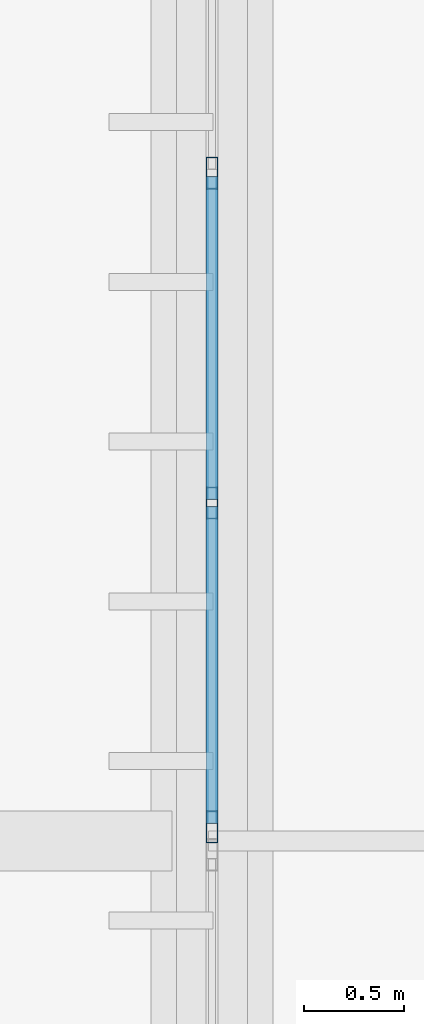
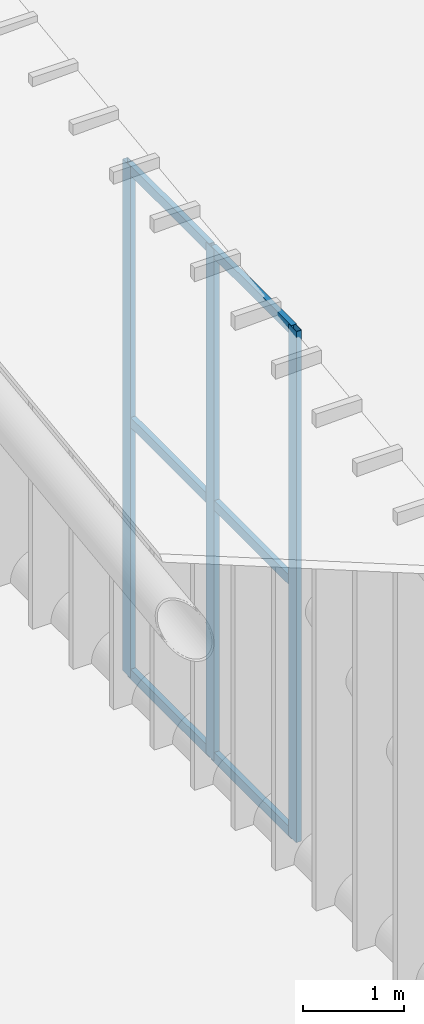
# One storey, part 49 of 397: 9 members, 1 element without a shape of its own.
"""IFC4 building model written with IfcOpenShell, lengths in metres."""

from ifc_helpers import new_model, si_unit, direction, frame, origin, origin_2d, place, context, subcontext, project, spatial, hollow_rectangle, extrude, material, material_profile, profile_set, type_object, element, aggregate, save


model = new_model("IFC4")

# Units and contexts
model_context = context("Model", 3, precision=1e-05, world=origin(), true_north=direction((0.0, 1.0)))
body_context = subcontext(model_context, "Body", "Model", "MODEL_VIEW")
ifc_project = project(units=[si_unit("LENGTHUNIT", "METRE"), si_unit("AREAUNIT", "SQUARE_METRE"), si_unit("VOLUMEUNIT", "CUBIC_METRE"), si_unit("PLANEANGLEUNIT", "RADIAN"), si_unit("MASSUNIT", "GRAM", prefix="KILO")], contexts=[model_context])

# Site, building, storey
site_placement = place(None, origin())
site = spatial("IfcSite", under=ifc_project, at=site_placement, CompositionType="ELEMENT")
building_placement = place(site_placement, origin())
building = spatial("IfcBuilding", under=site, at=building_placement, Name="Qandorah Velis Arena", CompositionType="ELEMENT")
storey_placement = place(building_placement, frame((0.0, 0.0, 27.5)))
storey = spatial("IfcBuildingStorey", under=building, at=storey_placement, Name="RF", CompositionType="ELEMENT", Elevation=27.5)

# Curtain wall, members
ifc_material_1 = material(Name="Solar-control low-E double glazing", Category="glass")
curtain_wall_type = type_object("IfcCurtainWallType", Name="ARC-CW-SYS03", PredefinedType="USERDEFINED", material=ifc_material_1)
curtain_wall_placement = place(storey_placement, origin())
curtain_wall = element("IfcCurtainWall", 1, at=curtain_wall_placement, inside=storey, type_object=curtain_wall_type, Name="Unitised curtain wall CROWN-1-02S2", ObjectType="UNITISED CURTAIN WALL", PredefinedType="USERDEFINED")
ifc_material_2 = material(Name="Champagne-bronze anodized aluminium 6063-T6", Category="aluminium")
ifc_material_profile_1 = material_profile(ifc_material_2, hollow_rectangle(XDim=0.06005859375, YDim=0.159912109375, WallThickness=0.00341796875, at=origin_2d()), Name="ALU MULLION 60x160")
ifc_profile_set_1 = profile_set([ifc_material_profile_1], Name="Champagne-bronze anodized aluminium 6063-T6")
member_type_1 = type_object("IfcMemberType", Name="ARC-CWM-160", PredefinedType="MULLION", material=ifc_profile_set_1)
member_1_placement = place(storey_placement, frame((14.39990234375, 36.070068359375, -0.014892578125), z_axis=(0.0, 0.0, 1.0), x_axis=(-1.0, 0.0, 0.0)))
member_1 = element("IfcMember", 2, at=member_1_placement, type_object=member_type_1, Name="CW03 mullion 1", PredefinedType="MULLION", context=body_context, shape_type="SweptSolid", body=[
    extrude(hollow_rectangle(XDim=0.06005859375, YDim=0.159912109375, WallThickness=0.00341796875, at=origin_2d()), origin(), (0.0, 0.0, 1.0), 6.159423828125),
])
member_2_placement = place(storey_placement, frame((14.39990234375, 37.6923828125, -0.014892578125), z_axis=(0.0, 0.0, 1.0), x_axis=(-1.0, 0.0, 0.0)))
member_2 = element("IfcMember", 3, at=member_2_placement, type_object=member_type_1, Name="CW03 mullion 2", PredefinedType="MULLION", context=body_context, shape_type="SweptSolid", body=[
    extrude(hollow_rectangle(XDim=0.06005859375, YDim=0.159912109375, WallThickness=0.00341796875, at=origin_2d()), origin(), (0.0, 0.0, 1.0), 6.159423828125),
])
member_3_placement = place(storey_placement, frame((14.39990234375, 39.344970703125, -0.014892578125), z_axis=(0.0, 0.0, 1.0), x_axis=(-1.0, 0.0, 0.0)))
member_3 = element("IfcMember", 4, at=member_3_placement, type_object=member_type_1, Name="CW03 mullion 3", PredefinedType="MULLION", context=body_context, shape_type="SweptSolid", body=[
    extrude(hollow_rectangle(XDim=0.06005859375, YDim=0.159912109375, WallThickness=0.00341796875, at=origin_2d()), origin(), (0.0, 0.0, 1.0), 6.159423828125),
])
ifc_material_profile_2 = material_profile(ifc_material_2, hollow_rectangle(XDim=0.06005859375, YDim=0.1201171875, WallThickness=0.0029296875, at=origin_2d()), Name="ALU TRANSOM 60x120")
ifc_profile_set_2 = profile_set([ifc_material_profile_2], Name="Champagne-bronze anodized aluminium 6063-T6")
member_type_2 = type_object("IfcMemberType", Name="ARC-CWT-120", PredefinedType="USERDEFINED", material=ifc_profile_set_2)
member_4_placement = place(storey_placement, frame((14.39990234375, 36.087890625, 0.030029296875), z_axis=(0.0, 1.0, 0.0), x_axis=(-1.0, 0.0, 0.0)))
member_4 = element("IfcMember", 5, at=member_4_placement, type_object=member_type_2, Name="CW03 transom 1.1", ObjectType="TRANSOM", PredefinedType="USERDEFINED", context=body_context, shape_type="SweptSolid", body=[
    extrude(hollow_rectangle(XDim=0.06005859375, YDim=0.1201171875, WallThickness=0.0029296875, at=origin_2d()), origin(), (0.0, 0.0, 1.0), 1.586669921875),
])
member_5_placement = place(storey_placement, frame((14.39990234375, 36.087890625, 3.064697265625), z_axis=(0.0, 1.0, 0.0), x_axis=(-1.0, 0.0, 0.0)))
member_5 = element("IfcMember", 6, at=member_5_placement, type_object=member_type_2, Name="CW03 transom 1.2", ObjectType="TRANSOM", PredefinedType="USERDEFINED", context=body_context, shape_type="SweptSolid", body=[
    extrude(hollow_rectangle(XDim=0.06005859375, YDim=0.1201171875, WallThickness=0.0029296875, at=origin_2d()), origin(), (0.0, 0.0, 1.0), 1.586669921875),
])
member_6_placement = place(storey_placement, frame((14.39990234375, 36.087890625, 6.099609375), z_axis=(0.0, 1.0, 0.0), x_axis=(-1.0, 0.0, 0.0)))
member_6 = element("IfcMember", 7, at=member_6_placement, type_object=member_type_2, Name="CW03 transom 1.3", ObjectType="TRANSOM", PredefinedType="USERDEFINED", context=body_context, shape_type="SweptSolid", body=[
    extrude(hollow_rectangle(XDim=0.06005859375, YDim=0.1201171875, WallThickness=0.0029296875, at=origin_2d()), origin(), (0.0, 0.0, 1.0), 1.586669921875),
])
member_7_placement = place(storey_placement, frame((14.39990234375, 37.71044921875, 0.030029296875), z_axis=(0.0, 1.0, 0.0), x_axis=(-1.0, 0.0, 0.0)))
member_7 = element("IfcMember", 8, at=member_7_placement, type_object=member_type_2, Name="CW03 transom 2.1", ObjectType="TRANSOM", PredefinedType="USERDEFINED", context=body_context, shape_type="SweptSolid", body=[
    extrude(hollow_rectangle(XDim=0.06005859375, YDim=0.1201171875, WallThickness=0.0029296875, at=origin_2d()), origin(), (0.0, 0.0, 1.0), 1.616455078125),
])
member_8_placement = place(storey_placement, frame((14.39990234375, 37.71044921875, 3.064697265625), z_axis=(0.0, 1.0, 0.0), x_axis=(-1.0, 0.0, 0.0)))
member_8 = element("IfcMember", 9, at=member_8_placement, type_object=member_type_2, Name="CW03 transom 2.2", ObjectType="TRANSOM", PredefinedType="USERDEFINED", context=body_context, shape_type="SweptSolid", body=[
    extrude(hollow_rectangle(XDim=0.06005859375, YDim=0.1201171875, WallThickness=0.0029296875, at=origin_2d()), origin(), (0.0, 0.0, 1.0), 1.616455078125),
])
member_9_placement = place(storey_placement, frame((14.39990234375, 37.71044921875, 6.099609375), z_axis=(0.0, 1.0, 0.0), x_axis=(-1.0, 0.0, 0.0)))
member_9 = element("IfcMember", 10, at=member_9_placement, type_object=member_type_2, Name="CW03 transom 2.3", ObjectType="TRANSOM", PredefinedType="USERDEFINED", context=body_context, shape_type="SweptSolid", body=[
    extrude(hollow_rectangle(XDim=0.06005859375, YDim=0.1201171875, WallThickness=0.0029296875, at=origin_2d()), origin(), (0.0, 0.0, 1.0), 1.616455078125),
])
aggregate(curtain_wall, [member_1, member_2, member_3, member_4, member_5, member_6, member_7, member_8, member_9])

save(model, "model.ifc")
